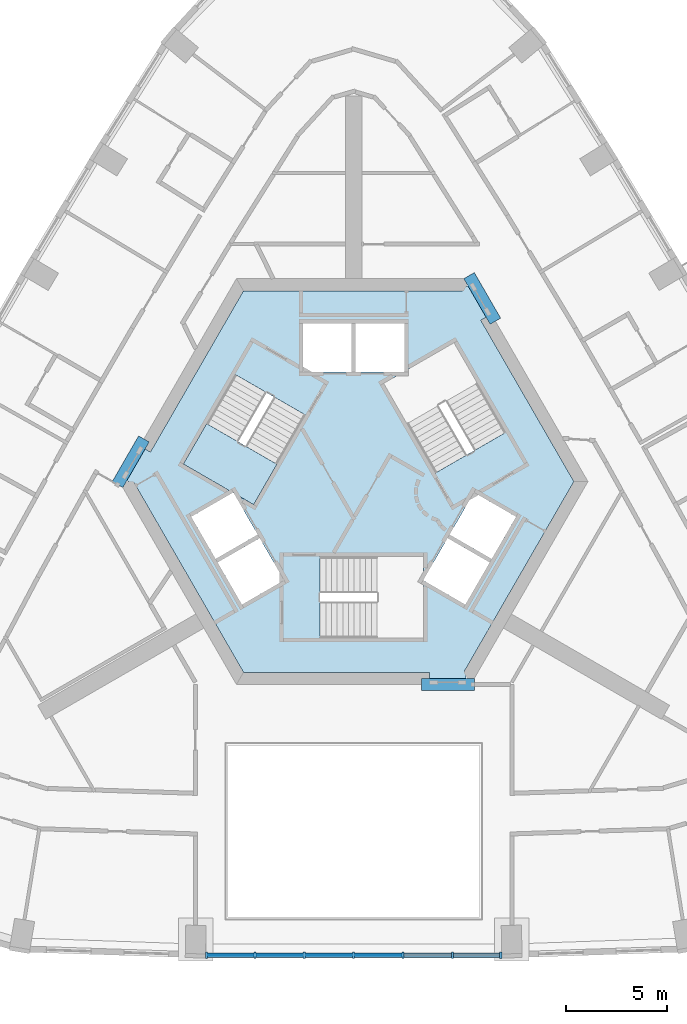
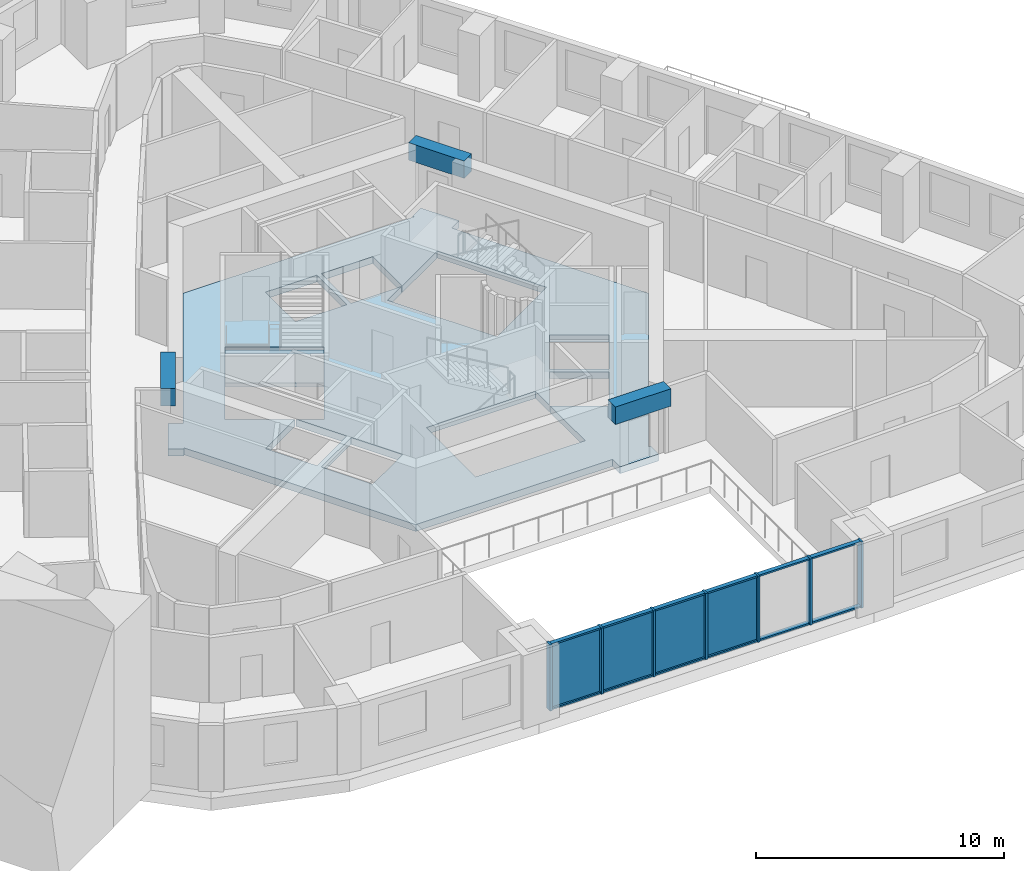
# One storey, part 2 of 13: 19 members, 4 plates, 3 beams, 2 slabs, 2 elements without a shape of their own.
"""IFC4 building model written with IfcOpenShell, lengths in metres."""

from ifc_helpers import new_model, si_unit, direction, frame, origin, origin_2d, place, context, subcontext, project, spatial, polyline, rectangle, outline, extrude, material, layer, layer_set, material_profile, profile_set, type_object, element, aggregate, save


model = new_model("IFC4")

# Units and contexts
model_context = context("Model", 3, precision=1e-05, world=origin(), true_north=direction((0.0, 1.0)))
body_context = subcontext(model_context, "Body", "Model", "MODEL_VIEW")
ifc_project = project(units=[si_unit("LENGTHUNIT", "METRE"), si_unit("AREAUNIT", "SQUARE_METRE"), si_unit("VOLUMEUNIT", "CUBIC_METRE"), si_unit("PLANEANGLEUNIT", "RADIAN"), si_unit("MASSUNIT", "GRAM", prefix="KILO")], contexts=[model_context])

# Site, building, storey
site_placement = place(None, origin())
site = spatial("IfcSite", under=ifc_project, at=site_placement, CompositionType="ELEMENT")
building_placement = place(site_placement, origin())
building = spatial("IfcBuilding", under=site, at=building_placement, Name="Entoto Arch Interchange Tower", CompositionType="ELEMENT")
storey_placement = place(building_placement, frame((0.0, 0.0, 263.0)))
storey = spatial("IfcBuildingStorey", under=building, at=storey_placement, Name="L60", CompositionType="ELEMENT", Elevation=263.0)

# Beams
ifc_material_1 = material(Name="Concrete C40/50", Category="concrete")
ifc_material_profile_1 = material_profile(ifc_material_1, rectangle(XDim=0.60009765625, YDim=0.860107421875, at=origin_2d()))
ifc_profile_set_1 = profile_set([ifc_material_profile_1], Name="Concrete C40/50")
beam_type = type_object("IfcBeamType", Name="Coupling beam RC 600x860 C40/50", PredefinedType="BEAM", material=ifc_profile_set_1)
beam_1_placement = place(storey_placement, frame((6.986083984375, 10.40087890625, 2.830078125), z_axis=(-0.500379508478, 0.865806183562, 0.0), x_axis=(-0.865806183562, -0.500379508478, 0.0)))
element("IfcBeam", 1, at=beam_1_placement, inside=storey, type_object=beam_type, Name="Coupling beam NE L60", PredefinedType="BEAM", context=body_context, shape_type="SweptSolid", body=[
    extrude(rectangle(XDim=0.60009765625, YDim=0.860107421875, at=origin_2d()), origin(), (0.0, 0.0, 1.0), 2.59423828125),
])
beam_2_placement = place(storey_placement, frame((-10.3359375, 4.59912109375, 2.830078125), z_axis=(-0.499814819145, -0.866132291606, 0.0), x_axis=(0.866132291606, -0.499814819145, 0.0)))
element("IfcBeam", 2, at=beam_2_placement, inside=storey, type_object=beam_type, Name="Coupling beam NW L60", PredefinedType="BEAM", context=body_context, shape_type="SweptSolid", body=[
    extrude(rectangle(XDim=0.60009765625, YDim=0.860107421875, at=origin_2d()), origin(), (0.0, 0.0, 1.0), 2.59326171875),
])
beam_3_placement = place(storey_placement, frame((3.35009765625, -7.5, 2.830078125), z_axis=(1.0, 0.0, 0.0), x_axis=(0.0, 1.0, 0.0)))
element("IfcBeam", 3, at=beam_3_placement, inside=storey, type_object=beam_type, Name="Coupling beam S L60", PredefinedType="BEAM", context=body_context, shape_type="SweptSolid", body=[
    extrude(rectangle(XDim=0.60009765625, YDim=0.860107421875, at=origin_2d()), origin(), (0.0, 0.0, 1.0), 2.593994140625),
])

# Curtain wall, members
ifc_material_2 = material(Name="Aluminium, anodised", Category="aluminium")
curtain_wall_type = type_object("IfcCurtainWallType", Name="CURTAIN WALL ATRIUM", PredefinedType="NOTDEFINED", material=ifc_material_2)
curtain_wall_placement = place(storey_placement, origin())
curtain_wall = element("IfcCurtainWall", 4, at=curtain_wall_placement, inside=storey, type_object=curtain_wall_type, Name="Atrium glazing S-02 L60", PredefinedType="NOTDEFINED")
ifc_material_profile_2 = material_profile(ifc_material_2, rectangle(XDim=0.300048828125, YDim=0.10009765625, at=origin_2d()))
ifc_profile_set_2 = profile_set([ifc_material_profile_2], Name="Aluminium, anodised")
member_type_1 = type_object("IfcMemberType", Name="MULLION ATRIUM 100x300", PredefinedType="MULLION", material=ifc_profile_set_2)
member_1_placement = place(storey_placement, frame((-7.2490234375, -20.843994140625, 0.0), z_axis=(0.0, 0.0, 1.0), x_axis=(0.0, 1.0, 0.0)))
member_1 = element("IfcMember", 5, at=member_1_placement, type_object=member_type_1, Name="CWA mullion 1", PredefinedType="MULLION", context=body_context, shape_type="SweptSolid", body=[
    extrude(rectangle(XDim=0.300048828125, YDim=0.10009765625, at=origin_2d()), origin(), (0.0, 0.0, 1.0), 3.260009765625),
])
member_2_placement = place(storey_placement, frame((-4.865966796875, -20.843994140625, 0.0), z_axis=(0.0, 0.0, 1.0), x_axis=(0.0, 1.0, 0.0)))
member_2 = element("IfcMember", 6, at=member_2_placement, type_object=member_type_1, Name="CWA mullion 2", PredefinedType="MULLION", context=body_context, shape_type="SweptSolid", body=[
    extrude(rectangle(XDim=0.300048828125, YDim=0.10009765625, at=origin_2d()), origin(), (0.0, 0.0, 1.0), 3.260009765625),
])
member_3_placement = place(storey_placement, frame((-2.43310546875, -20.843994140625, 0.0), z_axis=(0.0, 0.0, 1.0), x_axis=(0.0, 1.0, 0.0)))
member_3 = element("IfcMember", 7, at=member_3_placement, type_object=member_type_1, Name="CWA mullion 3", PredefinedType="MULLION", context=body_context, shape_type="SweptSolid", body=[
    extrude(rectangle(XDim=0.300048828125, YDim=0.10009765625, at=origin_2d()), origin(), (0.0, 0.0, 1.0), 3.260009765625),
])
member_4_placement = place(storey_placement, frame((0.0, -20.843994140625, 0.0), z_axis=(0.0, 0.0, 1.0), x_axis=(0.0, 1.0, 0.0)))
member_4 = element("IfcMember", 8, at=member_4_placement, type_object=member_type_1, Name="CWA mullion 4", PredefinedType="MULLION", context=body_context, shape_type="SweptSolid", body=[
    extrude(rectangle(XDim=0.300048828125, YDim=0.10009765625, at=origin_2d()), origin(), (0.0, 0.0, 1.0), 3.260009765625),
])
member_5_placement = place(storey_placement, frame((2.43310546875, -20.843994140625, 0.0), z_axis=(0.0, 0.0, 1.0), x_axis=(0.0, 1.0, 0.0)))
member_5 = element("IfcMember", 9, at=member_5_placement, type_object=member_type_1, Name="CWA mullion 5", PredefinedType="MULLION", context=body_context, shape_type="SweptSolid", body=[
    extrude(rectangle(XDim=0.300048828125, YDim=0.10009765625, at=origin_2d()), origin(), (0.0, 0.0, 1.0), 3.260009765625),
])
member_6_placement = place(storey_placement, frame((4.865966796875, -20.843994140625, 0.0), z_axis=(0.0, 0.0, 1.0), x_axis=(0.0, 1.0, 0.0)))
member_6 = element("IfcMember", 10, at=member_6_placement, type_object=member_type_1, Name="CWA mullion 6", PredefinedType="MULLION", context=body_context, shape_type="SweptSolid", body=[
    extrude(rectangle(XDim=0.300048828125, YDim=0.10009765625, at=origin_2d()), origin(), (0.0, 0.0, 1.0), 3.260009765625),
])
member_7_placement = place(storey_placement, frame((7.2490234375, -20.843994140625, 0.0), z_axis=(0.0, 0.0, 1.0), x_axis=(0.0, 1.0, 0.0)))
member_7 = element("IfcMember", 11, at=member_7_placement, type_object=member_type_1, Name="CWA mullion 7", PredefinedType="MULLION", context=body_context, shape_type="SweptSolid", body=[
    extrude(rectangle(XDim=0.300048828125, YDim=0.10009765625, at=origin_2d()), origin(), (0.0, 0.0, 1.0), 3.260009765625),
])
ifc_material_profile_3 = material_profile(ifc_material_2, rectangle(XDim=0.199951171875, YDim=0.080078125, at=origin_2d()))
ifc_profile_set_3 = profile_set([ifc_material_profile_3], Name="Aluminium, anodised")
member_type_2 = type_object("IfcMemberType", Name="TRANSOM ATRIUM 80x200", PredefinedType="USERDEFINED", material=ifc_profile_set_3)
member_8_placement = place(storey_placement, frame((-7.198974609375, -20.843994140625, 0.0400390625), z_axis=(1.0, 0.0, 0.0), x_axis=(0.0, 1.0, 0.0)))
member_8 = element("IfcMember", 12, at=member_8_placement, type_object=member_type_2, Name="CWA transom 1.1", ObjectType="TRANSOM", PredefinedType="USERDEFINED", context=body_context, shape_type="SweptSolid", body=[
    extrude(rectangle(XDim=0.199951171875, YDim=0.080078125, at=origin_2d()), origin(), (0.0, 0.0, 1.0), 2.282958984375),
])
member_9_placement = place(storey_placement, frame((-7.198974609375, -20.843994140625, 3.219970703125), z_axis=(1.0, 0.0, 0.0), x_axis=(0.0, 1.0, 0.0)))
member_9 = element("IfcMember", 13, at=member_9_placement, type_object=member_type_2, Name="CWA transom 1.2", ObjectType="TRANSOM", PredefinedType="USERDEFINED", context=body_context, shape_type="SweptSolid", body=[
    extrude(rectangle(XDim=0.199951171875, YDim=0.080078125, at=origin_2d()), origin(), (0.0, 0.0, 1.0), 2.282958984375),
])
member_10_placement = place(storey_placement, frame((-4.81591796875, -20.843994140625, 0.0400390625), z_axis=(1.0, 0.0, 0.0), x_axis=(0.0, 1.0, 0.0)))
member_10 = element("IfcMember", 14, at=member_10_placement, type_object=member_type_2, Name="CWA transom 2.1", ObjectType="TRANSOM", PredefinedType="USERDEFINED", context=body_context, shape_type="SweptSolid", body=[
    extrude(rectangle(XDim=0.199951171875, YDim=0.080078125, at=origin_2d()), origin(), (0.0, 0.0, 1.0), 2.3330078125),
])
member_11_placement = place(storey_placement, frame((-4.81591796875, -20.843994140625, 3.219970703125), z_axis=(1.0, 0.0, 0.0), x_axis=(0.0, 1.0, 0.0)))
member_11 = element("IfcMember", 15, at=member_11_placement, type_object=member_type_2, Name="CWA transom 2.2", ObjectType="TRANSOM", PredefinedType="USERDEFINED", context=body_context, shape_type="SweptSolid", body=[
    extrude(rectangle(XDim=0.199951171875, YDim=0.080078125, at=origin_2d()), origin(), (0.0, 0.0, 1.0), 2.3330078125),
])
member_12_placement = place(storey_placement, frame((-2.383056640625, -20.843994140625, 0.0400390625), z_axis=(1.0, 0.0, 0.0), x_axis=(0.0, 1.0, 0.0)))
member_12 = element("IfcMember", 16, at=member_12_placement, type_object=member_type_2, Name="CWA transom 3.1", ObjectType="TRANSOM", PredefinedType="USERDEFINED", context=body_context, shape_type="SweptSolid", body=[
    extrude(rectangle(XDim=0.199951171875, YDim=0.080078125, at=origin_2d()), origin(), (0.0, 0.0, 1.0), 2.3330078125),
])
member_13_placement = place(storey_placement, frame((-2.383056640625, -20.843994140625, 3.219970703125), z_axis=(1.0, 0.0, 0.0), x_axis=(0.0, 1.0, 0.0)))
member_13 = element("IfcMember", 17, at=member_13_placement, type_object=member_type_2, Name="CWA transom 3.2", ObjectType="TRANSOM", PredefinedType="USERDEFINED", context=body_context, shape_type="SweptSolid", body=[
    extrude(rectangle(XDim=0.199951171875, YDim=0.080078125, at=origin_2d()), origin(), (0.0, 0.0, 1.0), 2.3330078125),
])
member_14_placement = place(storey_placement, frame((0.050048828125, -20.843994140625, 0.0400390625), z_axis=(1.0, 0.0, 0.0), x_axis=(0.0, 1.0, 0.0)))
member_14 = element("IfcMember", 18, at=member_14_placement, type_object=member_type_2, Name="CWA transom 4.1", ObjectType="TRANSOM", PredefinedType="USERDEFINED", context=body_context, shape_type="SweptSolid", body=[
    extrude(rectangle(XDim=0.199951171875, YDim=0.080078125, at=origin_2d()), origin(), (0.0, 0.0, 1.0), 2.3330078125),
])
member_15_placement = place(storey_placement, frame((0.050048828125, -20.843994140625, 3.219970703125), z_axis=(1.0, 0.0, 0.0), x_axis=(0.0, 1.0, 0.0)))
member_15 = element("IfcMember", 19, at=member_15_placement, type_object=member_type_2, Name="CWA transom 4.2", ObjectType="TRANSOM", PredefinedType="USERDEFINED", context=body_context, shape_type="SweptSolid", body=[
    extrude(rectangle(XDim=0.199951171875, YDim=0.080078125, at=origin_2d()), origin(), (0.0, 0.0, 1.0), 2.3330078125),
])
member_16_placement = place(storey_placement, frame((2.48291015625, -20.843994140625, 0.0400390625), z_axis=(1.0, 0.0, 0.0), x_axis=(0.0, 1.0, 0.0)))
member_16 = element("IfcMember", 20, at=member_16_placement, type_object=member_type_2, Name="CWA transom 5.1", ObjectType="TRANSOM", PredefinedType="USERDEFINED", context=body_context, shape_type="SweptSolid", body=[
    extrude(rectangle(XDim=0.199951171875, YDim=0.080078125, at=origin_2d()), origin(), (0.0, 0.0, 1.0), 2.3330078125),
])
member_17_placement = place(storey_placement, frame((2.48291015625, -20.843994140625, 3.219970703125), z_axis=(1.0, 0.0, 0.0), x_axis=(0.0, 1.0, 0.0)))
member_17 = element("IfcMember", 21, at=member_17_placement, type_object=member_type_2, Name="CWA transom 5.2", ObjectType="TRANSOM", PredefinedType="USERDEFINED", context=body_context, shape_type="SweptSolid", body=[
    extrude(rectangle(XDim=0.199951171875, YDim=0.080078125, at=origin_2d()), origin(), (0.0, 0.0, 1.0), 2.3330078125),
])
member_18_placement = place(storey_placement, frame((4.916015625, -20.843994140625, 0.0400390625), z_axis=(1.0, 0.0, 0.0), x_axis=(0.0, 1.0, 0.0)))
member_18 = element("IfcMember", 22, at=member_18_placement, type_object=member_type_2, Name="CWA transom 6.1", ObjectType="TRANSOM", PredefinedType="USERDEFINED", context=body_context, shape_type="SweptSolid", body=[
    extrude(rectangle(XDim=0.199951171875, YDim=0.080078125, at=origin_2d()), origin(), (0.0, 0.0, 1.0), 2.282958984375),
])
member_19_placement = place(storey_placement, frame((4.916015625, -20.843994140625, 3.219970703125), z_axis=(1.0, 0.0, 0.0), x_axis=(0.0, 1.0, 0.0)))
member_19 = element("IfcMember", 23, at=member_19_placement, type_object=member_type_2, Name="CWA transom 6.2", ObjectType="TRANSOM", PredefinedType="USERDEFINED", context=body_context, shape_type="SweptSolid", body=[
    extrude(rectangle(XDim=0.199951171875, YDim=0.080078125, at=origin_2d()), origin(), (0.0, 0.0, 1.0), 2.282958984375),
])

# Slab
ifc_layer_1 = layer(ifc_material_1, 0.340087890625)
ifc_layer_set_1 = layer_set([ifc_layer_1], Name="Concrete C40/50")
slab_type_1 = type_object("IfcSlabType", Name="Core floor slab 340 C40/50", PredefinedType="FLOOR", material=ifc_layer_set_1)
slab_1_placement = place(storey_placement, frame((0.0, 0.0, -0.340087890625)))
element("IfcSlab", 24, at=slab_1_placement, inside=storey, type_object=slab_type_1, Name="Core floor slab L60", PredefinedType="FLOOR", context=body_context, shape_type="SweptSolid", body=[
    extrude(outline(polyline([(-10.824951171875, 2.450927734375), (-10.8701171875, 2.3740234375), (-11.431884765625, 2.698974609375), (-10.535888671875, 4.2529296875), (-10.014892578125, 3.952880859375), (-5.427001953125, 11.89990234375), (5.368896484375, 11.89990234375), (5.325927734375, 11.97607421875), (5.887939453125, 12.301025390625), (6.784912109375, 10.7470703125), (6.26611328125, 10.447021484375), (10.85400390625, 2.5), (5.4560546875, -6.85009765625), (5.5439453125, -6.85009765625), (5.5439453125, -7.5), (3.75, -7.5), (3.75, -6.89990234375), (-5.427001953125, -6.89990234375), (-10.824951171875, 2.450927734375)]), holes=[polyline([(-1.64990234375, -5.199951171875), (3.449951171875, -5.199951171875), (3.449951171875, -2.3779296875), (5.5048828125, -3.56494140625), (6.705078125, -1.487060546875), (4.626953125, -0.287109375), (3.449951171875, -2.324951171875), (3.449951171875, -1.199951171875), (-1.64990234375, -1.199951171875), (-1.64990234375, -5.199951171875)]), polyline([(-4.626953125, -0.287109375), (-6.705078125, -1.487060546875), (-5.5048828125, -3.56494140625), (-3.427001953125, -2.364990234375), (-4.626953125, -0.287109375)]), polyline([(-5.904052734375, 1.925048828125), (-4.928955078125, 1.362060546875), (-2.37890625, 5.779052734375), (-5.843017578125, 7.779052734375), (-8.39306640625, 3.362060546875), (-5.949951171875, 1.951904296875), (-8.0048828125, 0.764892578125), (-6.804931640625, -1.31298828125), (-4.72705078125, -0.113037109375), (-5.904052734375, 1.925048828125)]), polyline([(4.72705078125, -0.113037109375), (6.804931640625, -1.31298828125), (8.0048828125, 0.764892578125), (5.927001953125, 1.965087890625), (4.72705078125, -0.113037109375)]), polyline([(2.5, 7.927001953125), (2.5, 10.300048828125), (0.10009765625, 10.300048828125), (0.10009765625, 7.89990234375), (2.452880859375, 7.89990234375), (1.47900390625, 7.337890625), (4.029052734375, 2.9208984375), (7.492919921875, 4.9208984375), (4.943115234375, 9.337890625), (2.5, 7.927001953125)]), polyline([(-2.5, 7.89990234375), (-0.10009765625, 7.89990234375), (-0.10009765625, 10.300048828125), (-2.5, 10.300048828125), (-2.5, 7.89990234375)])]), origin(), (0.0, 0.0, 1.0), 0.340087890625),
])

# Stair, slab
stair_type = type_object("IfcStairType", Name="EXIT STAIR RC 1800", PredefinedType="HALF_TURN_STAIR", material=ifc_material_1)
stair_placement = place(storey_placement, origin())
stair = element("IfcStair", 25, at=stair_placement, inside=storey, type_object=stair_type, Name="L60 Exit stair NW", PredefinedType="HALF_TURN_STAIR")
ifc_layer_2 = layer(ifc_material_1, 0.199951171875)
ifc_layer_set_2 = layer_set([ifc_layer_2], Name="Concrete C40/50")
slab_type_2 = type_object("IfcSlabType", Name="EXIT STAIR LANDING RC 200", PredefinedType="LANDING", material=ifc_layer_set_2)
slab_2_placement = place(storey_placement, frame((0.0, 0.0, 1.60009765625)))
slab_2 = element("IfcSlab", 26, at=slab_2_placement, type_object=slab_type_2, Name="ST-NW landing 1", PredefinedType="LANDING", context=body_context, shape_type="SweptSolid", body=[
    extrude(outline(polyline([(-7.243408203125, 5.35400390625), (-8.393310546875, 3.3623046875), (-4.92919921875, 1.3623046875), (-3.779296875, 3.35400390625), (-7.243408203125, 5.35400390625)])), origin(), (0.0, 0.0, 1.0), 0.199951171875),
])
aggregate(stair, [slab_2])

# Plate
ifc_material_3 = material(Name="Clear glass, low-e double glazed", Category="glass")
ifc_layer_3 = layer(ifc_material_3, 0.031982421875)
ifc_layer_set_3 = layer_set([ifc_layer_3], Name="Clear glass, low-e double glazed")
plate_type = type_object("IfcPlateType", Name="GLAZING PANEL ATRIUM 32", PredefinedType="CURTAIN_PANEL", material=ifc_layer_set_3)
plate_1_placement = place(storey_placement, frame((-6.0576171875, -20.843994140625, 0.079833984375), z_axis=(0.0, 0.0, 1.0), x_axis=(1.0, 0.0, 0.0)))
plate_1 = element("IfcPlate", 27, at=plate_1_placement, type_object=plate_type, Name="CWA panel 1.1", PredefinedType="CURTAIN_PANEL", context=body_context, shape_type="SweptSolid", body=[
    extrude(rectangle(XDim=2.282958984375, YDim=0.031982421875, at=origin_2d()), origin(), (0.0, 0.0, 1.0), 3.10009765625),
])

plate_2_placement = place(storey_placement, frame((-3.6494140625, -20.843994140625, 0.079833984375), z_axis=(0.0, 0.0, 1.0), x_axis=(1.0, 0.0, 0.0)))
plate_2 = element("IfcPlate", 28, at=plate_2_placement, type_object=plate_type, Name="CWA panel 2.1", PredefinedType="CURTAIN_PANEL", context=body_context, shape_type="SweptSolid", body=[
    extrude(rectangle(XDim=2.3330078125, YDim=0.031982421875, at=origin_2d()), origin(), (0.0, 0.0, 1.0), 3.10009765625),
])

plate_3_placement = place(storey_placement, frame((-1.216552734375, -20.843994140625, 0.079833984375), z_axis=(0.0, 0.0, 1.0), x_axis=(1.0, 0.0, 0.0)))
plate_3 = element("IfcPlate", 29, at=plate_3_placement, type_object=plate_type, Name="CWA panel 3.1", PredefinedType="CURTAIN_PANEL", context=body_context, shape_type="SweptSolid", body=[
    extrude(rectangle(XDim=2.3330078125, YDim=0.031982421875, at=origin_2d()), origin(), (0.0, 0.0, 1.0), 3.10009765625),
])

plate_4_placement = place(storey_placement, frame((1.216552734375, -20.843994140625, 0.079833984375), z_axis=(0.0, 0.0, 1.0), x_axis=(1.0, 0.0, 0.0)))
plate_4 = element("IfcPlate", 30, at=plate_4_placement, type_object=plate_type, Name="CWA panel 4.1", PredefinedType="CURTAIN_PANEL", context=body_context, shape_type="SweptSolid", body=[
    extrude(rectangle(XDim=2.3330078125, YDim=0.031982421875, at=origin_2d()), origin(), (0.0, 0.0, 1.0), 3.10009765625),
])

aggregate(curtain_wall, [member_1, member_2, member_3, member_4, member_5, member_6, member_7, member_8, member_9, plate_1, member_10, member_11, plate_2, member_12, member_13, plate_3, member_14, member_15, plate_4, member_16, member_17, member_18, member_19])

save(model, "model.ifc")
